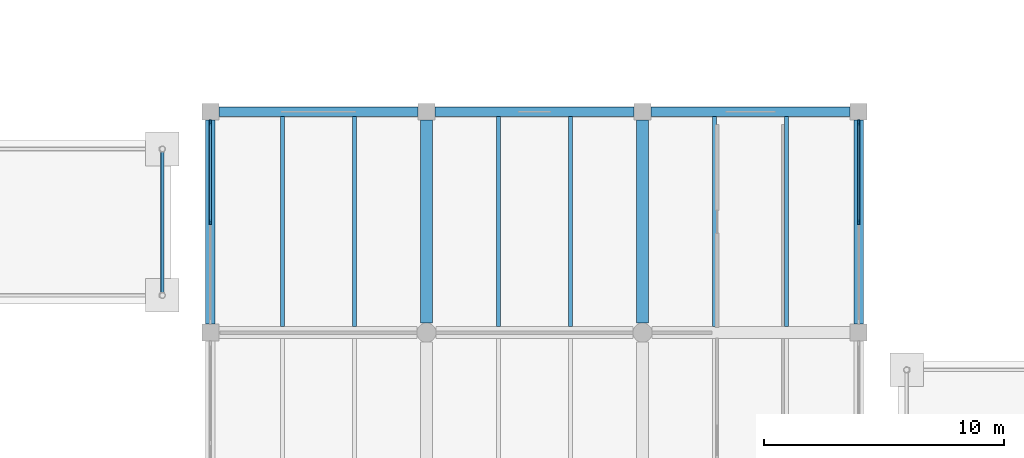
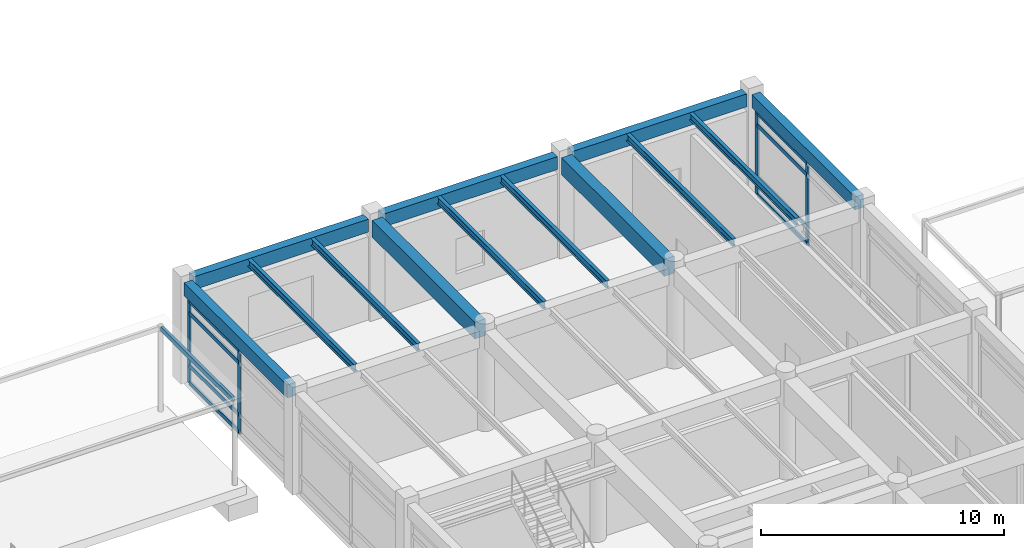
# One storey, part 33 of 76: 13 beams, 13 members, 2 elements without a shape of their own.
"""IFC4 building model written with IfcOpenShell, lengths in metres."""

from ifc_helpers import new_model, si_unit, direction, frame, origin, origin_2d, place, context, subcontext, project, spatial, rectangle, hollow_rectangle, i_section, extrude, material, material_profile, profile_set, type_object, element, aggregate, save


model = new_model("IFC4")

# Units and contexts
model_context = context("Model", 3, precision=1e-05, world=origin(), true_north=direction((0.0, 1.0)))
body_context = subcontext(model_context, "Body", "Model", "MODEL_VIEW")
ifc_project = project(units=[si_unit("LENGTHUNIT", "METRE"), si_unit("AREAUNIT", "SQUARE_METRE"), si_unit("VOLUMEUNIT", "CUBIC_METRE"), si_unit("PLANEANGLEUNIT", "RADIAN"), si_unit("MASSUNIT", "GRAM", prefix="KILO")], contexts=[model_context])

# Site, building, storey
site_placement = place(None, origin())
site = spatial("IfcSite", under=ifc_project, at=site_placement, CompositionType="ELEMENT")
building_placement = place(site_placement, origin())
building = spatial("IfcBuilding", under=site, at=building_placement, Name="Bozkorgan Art Gallery", CompositionType="ELEMENT")
storey_placement = place(building_placement, origin())
storey = spatial("IfcBuildingStorey", under=building, at=storey_placement, Name="L00", CompositionType="ELEMENT", Elevation=0.0)

# Beams
ifc_material_1 = material(Name="Concrete C35/45", Category="concrete")
ifc_material_profile_1 = material_profile(ifc_material_1, rectangle(XDim=0.5, YDim=0.85009765625, at=origin_2d()), Name="RC 500x850")
ifc_profile_set_1 = profile_set([ifc_material_profile_1], Name="Concrete C35/45")
beam_type_1 = type_object("IfcBeamType", Name="BEAM-BM-01", PredefinedType="BEAM", material=ifc_profile_set_1)
for number, where, z_axis, x_axis, name in (
    (1, (83.0, 94.0, 4.635009765625), (0.0, 1.0, 0.0), (-1.0, 0.0, 0.0), "V4 L00 beam Y (83, 93.6-102.8)"),
    (2, (92.0, 94.0, 4.635009765625), (0.0, 1.0, 0.0), (-1.0, 0.0, 0.0), "V4 L00 beam Y (92, 93.6-102.8)"),
):
    element("IfcBeam", number, at=place(storey_placement, frame(where, z_axis=z_axis, x_axis=x_axis)), inside=storey, type_object=beam_type_1, Name=name, PredefinedType="BEAM", context=body_context, shape_type="SweptSolid", body=[
        extrude(rectangle(XDim=0.5, YDim=0.85009765625, at=origin_2d()), origin(), (0.0, 0.0, 1.0), 8.449951171875),
    ])
ifc_material_2 = material(Name="Steel S355J2", Category="steel")
ifc_material_profile_2 = material_profile(ifc_material_2, i_section(OverallWidth=0.169921875, OverallDepth=0.360107421875, WebThickness=0.008056640625, FlangeThickness=0.0126953125, FilletRadius=0.01806640625, at=origin_2d()), Name="IPE 360")
ifc_profile_set_2 = profile_set([ifc_material_profile_2], Name="Steel S355J2")
beam_type_2 = type_object("IfcBeamType", Name="BEAM-JS-98", PredefinedType="JOIST", material=ifc_profile_set_2)
for number, where, z_axis, x_axis, name in (
    (3, (77.0, 93.85009765625, 4.8798828125), (0.0, 1.0, 0.0), (-1.0, 0.0, 0.0), "V4 L00 secondary joist (74-83, 93.6-102.8) #1"),
    (4, (80.0, 93.85009765625, 4.8798828125), (0.0, 1.0, 0.0), (-1.0, 0.0, 0.0), "V4 L00 secondary joist (74-83, 93.6-102.8) #2"),
    (5, (86.0, 93.85009765625, 4.8798828125), (0.0, 1.0, 0.0), (-1.0, 0.0, 0.0), "V4 L00 secondary joist (83-92, 93.6-102.8) #1"),
    (6, (89.0, 93.85009765625, 4.8798828125), (0.0, 1.0, 0.0), (-1.0, 0.0, 0.0), "V4 L00 secondary joist (83-92, 93.6-102.8) #2"),
    (7, (95.0, 93.85009765625, 4.8798828125), (0.0, 1.0, 0.0), (-1.0, 0.0, 0.0), "V4 L00 secondary joist (92-101, 93.6-102.8) #1"),
    (8, (98.0, 93.85009765625, 4.8798828125), (0.0, 1.0, 0.0), (-1.0, 0.0, 0.0), "V4 L00 secondary joist (92-101, 93.6-102.8) #2"),
):
    element("IfcBeam", number, at=place(storey_placement, frame(where, z_axis=z_axis, x_axis=x_axis)), inside=storey, type_object=beam_type_2, Name=name, PredefinedType="JOIST", context=body_context, shape_type="SweptSolid", body=[
        extrude(i_section(OverallWidth=0.169921875, OverallDepth=0.360107421875, WebThickness=0.008056640625, FlangeThickness=0.0126953125, FilletRadius=0.01806640625, at=origin_2d()), origin(), (0.0, 0.0, 1.0), 8.75),
    ])
ifc_material_profile_3 = material_profile(ifc_material_1, rectangle(XDim=0.39990234375, YDim=0.64990234375, at=origin_2d()), Name="RC 400x650")
ifc_profile_set_3 = profile_set([ifc_material_profile_3], Name="Concrete C35/45")
beam_type_3 = type_object("IfcBeamType", Name="BEAM-SP-69", PredefinedType="SPANDREL", material=ifc_profile_set_3)
for number, where, z_axis, x_axis, name in (
    (9, (74.35009765625, 102.800048828125, 4.735107421875), (1.0, 0.0, 0.0), (0.0, 1.0, 0.0), "V4 L00 spandrel X (74-83, 102.8)"),
    (10, (83.35009765625, 102.800048828125, 4.735107421875), (1.0, 0.0, 0.0), (0.0, 1.0, 0.0), "V4 L00 spandrel X (83-92, 102.8)"),
    (11, (92.35009765625, 102.800048828125, 4.735107421875), (1.0, 0.0, 0.0), (0.0, 1.0, 0.0), "V4 L00 spandrel X (92-101, 102.8)"),
):
    element("IfcBeam", number, at=place(storey_placement, frame(where, z_axis=z_axis, x_axis=x_axis)), inside=storey, type_object=beam_type_3, Name=name, PredefinedType="SPANDREL", context=body_context, shape_type="SweptSolid", body=[
        extrude(rectangle(XDim=0.39990234375, YDim=0.64990234375, at=origin_2d()), origin(), (0.0, 0.0, 1.0), 8.2998046875),
    ])
for number, where, z_axis, x_axis, name in (
    (12, (74.0, 93.949951171875, 4.735107421875), (0.0, 1.0, 0.0), (-1.0, 0.0, 0.0), "V4 L00 spandrel Y (74, 93.6-102.8)"),
    (13, (101.0, 93.949951171875, 4.735107421875), (0.0, 1.0, 0.0), (-1.0, 0.0, 0.0), "V4 L00 spandrel Y (101, 93.6-102.8)"),
):
    element("IfcBeam", number, at=place(storey_placement, frame(where, z_axis=z_axis, x_axis=x_axis)), inside=storey, type_object=beam_type_3, Name=name, PredefinedType="SPANDREL", context=body_context, shape_type="SweptSolid", body=[
        extrude(rectangle(XDim=0.39990234375, YDim=0.64990234375, at=origin_2d()), origin(), (0.0, 0.0, 1.0), 8.5),
    ])

# Curtain wall, members
ifc_material_3 = material(Name="Anodised Bronze Aluminium", Category="aluminium")
curtain_wall_type = type_object("IfcCurtainWallType", Name="CW-CW-87", PredefinedType="NOTDEFINED", material=ifc_material_3)
curtain_wall_1_placement = place(storey_placement, origin())
curtain_wall_1 = element("IfcCurtainWall", 14, at=curtain_wall_1_placement, inside=storey, type_object=curtain_wall_type, Name="L00 unitised curtain wall CW-V4-L00-1W-19", PredefinedType="NOTDEFINED")
ifc_material_profile_4 = material_profile(ifc_material_3, rectangle(XDim=0.074951171875, YDim=0.219970703125, at=origin_2d()), Name="ALU MULLION 75x220")
ifc_profile_set_4 = profile_set([ifc_material_profile_4], Name="Anodised Bronze Aluminium")
member_type_1 = type_object("IfcMemberType", Name="CWM-02", PredefinedType="MULLION", material=ifc_profile_set_4)
member_1_placement = place(storey_placement, frame((74.0, 98.199951171875, 0.02001953125), z_axis=(0.0, 0.0, 1.0), x_axis=(-1.0, 0.0, 0.0)))
member_1 = element("IfcMember", 15, at=member_1_placement, type_object=member_type_1, Name="CW-87 mullion 2", PredefinedType="MULLION", context=body_context, shape_type="SweptSolid", body=[
    extrude(rectangle(XDim=0.074951171875, YDim=0.219970703125, at=origin_2d()), origin(), (0.0, 0.0, 1.0), 4.175048828125),
])
member_2_placement = place(storey_placement, frame((74.0, 102.347412109375, 0.02001953125), z_axis=(0.0, 0.0, 1.0), x_axis=(-1.0, 0.0, 0.0)))
member_2 = element("IfcMember", 16, at=member_2_placement, type_object=member_type_1, Name="CW-87 mullion 3", PredefinedType="MULLION", context=body_context, shape_type="SweptSolid", body=[
    extrude(rectangle(XDim=0.074951171875, YDim=0.219970703125, at=origin_2d()), origin(), (0.0, 0.0, 1.0), 4.175048828125),
])

curtain_wall_2_placement = place(storey_placement, origin())
curtain_wall_2 = element("IfcCurtainWall", 17, at=curtain_wall_2_placement, inside=storey, type_object=curtain_wall_type, Name="L00 unitised curtain wall CW-V4-L00-1E-20", PredefinedType="NOTDEFINED")
member_3_placement = place(storey_placement, frame((101.0, 98.199951171875, 0.02001953125), z_axis=(0.0, 0.0, 1.0), x_axis=(-1.0, 0.0, 0.0)))
member_3 = element("IfcMember", 18, at=member_3_placement, type_object=member_type_1, Name="CW-87 mullion 2", PredefinedType="MULLION", context=body_context, shape_type="SweptSolid", body=[
    extrude(rectangle(XDim=0.074951171875, YDim=0.219970703125, at=origin_2d()), origin(), (0.0, 0.0, 1.0), 4.175048828125),
])
member_4_placement = place(storey_placement, frame((101.0, 102.347412109375, 0.02001953125), z_axis=(0.0, 0.0, 1.0), x_axis=(-1.0, 0.0, 0.0)))
member_4 = element("IfcMember", 19, at=member_4_placement, type_object=member_type_1, Name="CW-87 mullion 3", PredefinedType="MULLION", context=body_context, shape_type="SweptSolid", body=[
    extrude(rectangle(XDim=0.074951171875, YDim=0.219970703125, at=origin_2d()), origin(), (0.0, 0.0, 1.0), 4.175048828125),
])

# Member
ifc_material_profile_5 = material_profile(ifc_material_3, rectangle(XDim=0.080078125, YDim=0.199951171875, at=origin_2d()), Name="ALU TRANSOM 80x200")
ifc_profile_set_5 = profile_set([ifc_material_profile_5], Name="Anodised Bronze Aluminium")
member_type_2 = type_object("IfcMemberType", Name="CWT-03", PredefinedType="USERDEFINED", material=ifc_profile_set_5)
member_5_placement = place(storey_placement, frame((74.0, 98.237548828125, 0.06005859375), z_axis=(0.0, 1.0, 0.0), x_axis=(-1.0, 0.0, 0.0)))
member_5 = element("IfcMember", 20, at=member_5_placement, type_object=member_type_2, Name="CW-87 transom 2.1", ObjectType="TRANSOM", PredefinedType="USERDEFINED", context=body_context, shape_type="SweptSolid", body=[
    extrude(rectangle(XDim=0.080078125, YDim=0.199951171875, at=origin_2d()), origin(), (0.0, 0.0, 1.0), 4.072509765625),
])

member_6_placement = place(storey_placement, frame((74.0, 98.237548828125, 0.919921875), z_axis=(0.0, 1.0, 0.0), x_axis=(-1.0, 0.0, 0.0)))
member_6 = element("IfcMember", 21, at=member_6_placement, type_object=member_type_2, Name="CW-87 transom 2.2", ObjectType="TRANSOM", PredefinedType="USERDEFINED", context=body_context, shape_type="SweptSolid", body=[
    extrude(rectangle(XDim=0.080078125, YDim=0.199951171875, at=origin_2d()), origin(), (0.0, 0.0, 1.0), 4.072509765625),
])

member_7_placement = place(storey_placement, frame((74.0, 98.237548828125, 3.544921875), z_axis=(0.0, 1.0, 0.0), x_axis=(-1.0, 0.0, 0.0)))
member_7 = element("IfcMember", 22, at=member_7_placement, type_object=member_type_2, Name="CW-87 transom 2.3", ObjectType="TRANSOM", PredefinedType="USERDEFINED", context=body_context, shape_type="SweptSolid", body=[
    extrude(rectangle(XDim=0.080078125, YDim=0.199951171875, at=origin_2d()), origin(), (0.0, 0.0, 1.0), 4.072509765625),
])

member_8_placement = place(storey_placement, frame((74.0, 98.237548828125, 4.155029296875), z_axis=(0.0, 1.0, 0.0), x_axis=(-1.0, 0.0, 0.0)))
member_8 = element("IfcMember", 23, at=member_8_placement, type_object=member_type_2, Name="CW-87 transom 2.4", ObjectType="TRANSOM", PredefinedType="USERDEFINED", context=body_context, shape_type="SweptSolid", body=[
    extrude(rectangle(XDim=0.080078125, YDim=0.199951171875, at=origin_2d()), origin(), (0.0, 0.0, 1.0), 4.072509765625),
])

aggregate(curtain_wall_1, [member_1, member_2, member_5, member_6, member_7, member_8])

member_9_placement = place(storey_placement, frame((101.0, 98.237548828125, 0.06005859375), z_axis=(0.0, 1.0, 0.0), x_axis=(-1.0, 0.0, 0.0)))
member_9 = element("IfcMember", 24, at=member_9_placement, type_object=member_type_2, Name="CW-87 transom 2.1", ObjectType="TRANSOM", PredefinedType="USERDEFINED", context=body_context, shape_type="SweptSolid", body=[
    extrude(rectangle(XDim=0.080078125, YDim=0.199951171875, at=origin_2d()), origin(), (0.0, 0.0, 1.0), 4.072509765625),
])

member_10_placement = place(storey_placement, frame((101.0, 98.237548828125, 0.919921875), z_axis=(0.0, 1.0, 0.0), x_axis=(-1.0, 0.0, 0.0)))
member_10 = element("IfcMember", 25, at=member_10_placement, type_object=member_type_2, Name="CW-87 transom 2.2", ObjectType="TRANSOM", PredefinedType="USERDEFINED", context=body_context, shape_type="SweptSolid", body=[
    extrude(rectangle(XDim=0.080078125, YDim=0.199951171875, at=origin_2d()), origin(), (0.0, 0.0, 1.0), 4.072509765625),
])

member_11_placement = place(storey_placement, frame((101.0, 98.237548828125, 3.544921875), z_axis=(0.0, 1.0, 0.0), x_axis=(-1.0, 0.0, 0.0)))
member_11 = element("IfcMember", 26, at=member_11_placement, type_object=member_type_2, Name="CW-87 transom 2.3", ObjectType="TRANSOM", PredefinedType="USERDEFINED", context=body_context, shape_type="SweptSolid", body=[
    extrude(rectangle(XDim=0.080078125, YDim=0.199951171875, at=origin_2d()), origin(), (0.0, 0.0, 1.0), 4.072509765625),
])

member_12_placement = place(storey_placement, frame((101.0, 98.237548828125, 4.155029296875), z_axis=(0.0, 1.0, 0.0), x_axis=(-1.0, 0.0, 0.0)))
member_12 = element("IfcMember", 27, at=member_12_placement, type_object=member_type_2, Name="CW-87 transom 2.4", ObjectType="TRANSOM", PredefinedType="USERDEFINED", context=body_context, shape_type="SweptSolid", body=[
    extrude(rectangle(XDim=0.080078125, YDim=0.199951171875, at=origin_2d()), origin(), (0.0, 0.0, 1.0), 4.072509765625),
])

aggregate(curtain_wall_2, [member_3, member_4, member_9, member_10, member_11, member_12])

ifc_material_profile_6 = material_profile(ifc_material_2, hollow_rectangle(XDim=0.14990234375, YDim=0.25, WallThickness=0.010009765625, InnerFilletRadius=0.014892578125, OuterFilletRadius=0.02490234375, at=origin_2d()), Name="RHS 250x150x10")
ifc_profile_set_6 = profile_set([ifc_material_profile_6], Name="Steel S355J2")
member_type_3 = type_object("IfcMemberType", Name="MEMBER-WM-72", PredefinedType="CHORD", material=ifc_profile_set_6)
member_13_placement = place(storey_placement, frame((72.0, 95.27001953125, 4.175048828125), z_axis=(0.0, 1.0, 0.0), x_axis=(-1.0, 0.0, 0.0)))
element("IfcMember", 28, at=member_13_placement, inside=storey, type_object=member_type_3, Name="North Sculpture-Court Covered Walk PTFE sliding edge chord 2", PredefinedType="CHORD", context=body_context, shape_type="SweptSolid", body=[
    extrude(hollow_rectangle(XDim=0.14990234375, YDim=0.25, WallThickness=0.010009765625, InnerFilletRadius=0.014892578125, OuterFilletRadius=0.02490234375, at=origin_2d()), origin(), (0.0, 0.0, 1.0), 5.85986328125),
])

save(model, "model.ifc")
